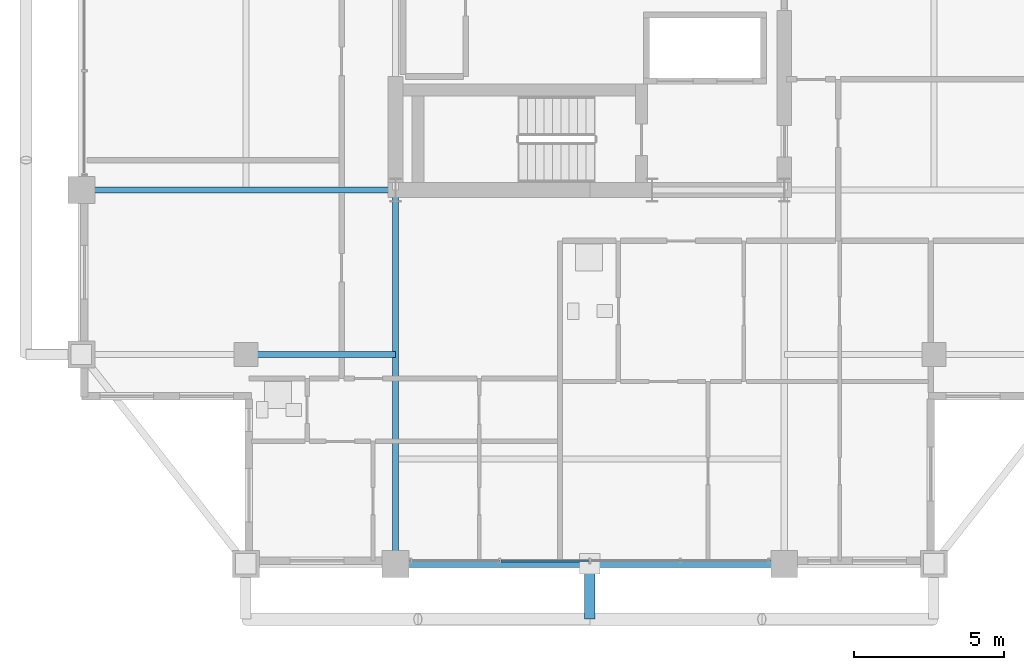
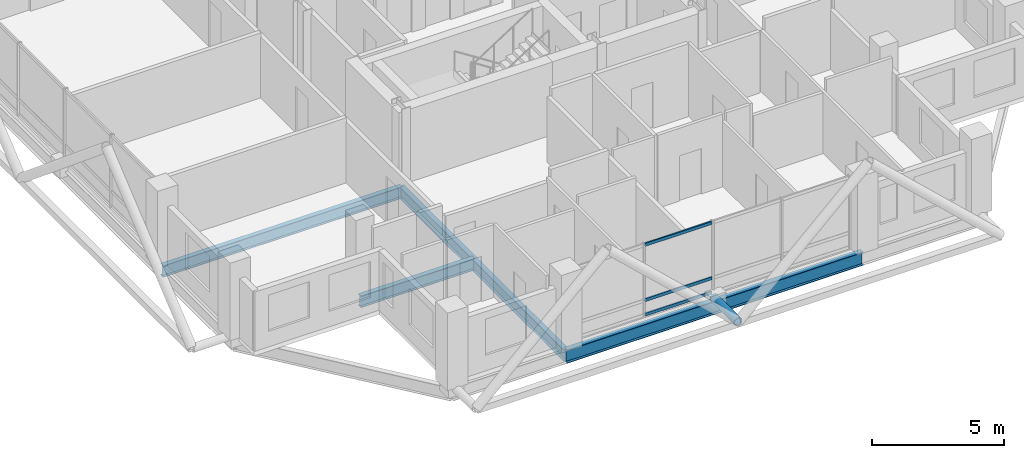
# One storey, part 4 of 21: 4 beams, 4 members, 1 element without a shape of its own.
"""IFC4 building model written with IfcOpenShell, lengths in metres."""

from ifc_helpers import new_model, si_unit, direction, frame, origin, origin_2d, place, context, subcontext, project, spatial, hollow_rectangle, hollow_circle, i_section, extrude, material, layer, layer_set, material_profile, profile_set, type_object, element, aggregate, save


model = new_model("IFC4")

# Units and contexts
model_context = context("Model", 3, precision=1e-05, world=origin(), true_north=direction((0.0, 1.0)))
body_context = subcontext(model_context, "Body", "Model", "MODEL_VIEW")
ifc_project = project(units=[si_unit("LENGTHUNIT", "METRE"), si_unit("AREAUNIT", "SQUARE_METRE"), si_unit("VOLUMEUNIT", "CUBIC_METRE"), si_unit("PLANEANGLEUNIT", "RADIAN"), si_unit("MASSUNIT", "GRAM", prefix="KILO")], contexts=[model_context])

# Site, building, storey
site_placement = place(None, origin())
site = spatial("IfcSite", under=ifc_project, at=site_placement, CompositionType="ELEMENT")
building_placement = place(site_placement, origin())
building = spatial("IfcBuilding", under=site, at=building_placement, Name="Barlavira Tower and Art Museum", CompositionType="ELEMENT")
storey_placement = place(building_placement, frame((0.0, 0.0, 261.89990234375)))
storey = spatial("IfcBuildingStorey", under=building, at=storey_placement, Name="L68", CompositionType="ELEMENT", Elevation=261.89990234375)

# Curtain wall, members
ifc_material_1 = material(Name="Low-iron coastal laminated glass", Category="glass")
ifc_layer = layer(ifc_material_1, 0.2099609375, Name="Low-iron coastal laminated glass")
ifc_layer_set = layer_set([ifc_layer], Name="Low-iron coastal laminated glass")
curtain_wall_type = type_object("IfcCurtainWallType", Name="Pale-Metal Unitised Curtain Wall Zone 4", PredefinedType="NOTDEFINED", material=ifc_layer_set)
curtain_wall_placement = place(storey_placement, origin())
curtain_wall = element("IfcCurtainWall", 1, at=curtain_wall_placement, inside=storey, type_object=curtain_wall_type, Name="L68 Curtain Wall CW4-L68-S-B2", PredefinedType="NOTDEFINED")
ifc_material_2 = material(Name="Pale anodised aluminium", Category="aluminium")
ifc_material_profile_1 = material_profile(ifc_material_2, hollow_rectangle(XDim=0.06494140625, YDim=0.139892578125, WallThickness=0.00390625, at=origin_2d()), Name="ALU-TRAN 65x140x4")
ifc_profile_set_1 = profile_set([ifc_material_profile_1], Name="Pale anodised aluminium")
member_type_1 = type_object("IfcMemberType", Name="Curtain Wall Pale-Metal Transom 65x140", PredefinedType="USERDEFINED", material=ifc_profile_set_1)
member_1_placement = place(storey_placement, frame((-2.969970703125, -19.89990234375, 0.070068359375), z_axis=(1.0, 0.0, 0.0), x_axis=(0.0, 1.0, 0.0)))
member_1 = element("IfcMember", 2, at=member_1_placement, type_object=member_type_1, Name="CW4-L68-S-B2 Transom 1.1", ObjectType="TRANSOM", PredefinedType="USERDEFINED", context=body_context, shape_type="SweptSolid", body=[
    extrude(hollow_rectangle(XDim=0.06494140625, YDim=0.139892578125, WallThickness=0.00390625, at=origin_2d()), origin(), (0.0, 0.0, 1.0), 2.925048828125),
])
member_2_placement = place(storey_placement, frame((-2.969970703125, -19.89990234375, 0.744140625), z_axis=(1.0, 0.0, 0.0), x_axis=(0.0, 1.0, 0.0)))
member_2 = element("IfcMember", 3, at=member_2_placement, type_object=member_type_1, Name="CW4-L68-S-B2 Transom 1.2", ObjectType="TRANSOM", PredefinedType="USERDEFINED", context=body_context, shape_type="SweptSolid", body=[
    extrude(hollow_rectangle(XDim=0.06494140625, YDim=0.139892578125, WallThickness=0.00390625, at=origin_2d()), origin(), (0.0, 0.0, 1.0), 2.925048828125),
])
member_3_placement = place(storey_placement, frame((-2.969970703125, -19.89990234375, 3.31005859375), z_axis=(1.0, 0.0, 0.0), x_axis=(0.0, 1.0, 0.0)))
member_3 = element("IfcMember", 4, at=member_3_placement, type_object=member_type_1, Name="CW4-L68-S-B2 Transom 1.3", ObjectType="TRANSOM", PredefinedType="USERDEFINED", context=body_context, shape_type="SweptSolid", body=[
    extrude(hollow_rectangle(XDim=0.06494140625, YDim=0.139892578125, WallThickness=0.00390625, at=origin_2d()), origin(), (0.0, 0.0, 1.0), 2.925048828125),
])
aggregate(curtain_wall, [member_1, member_2, member_3])

# Member
ifc_material_3 = material(Name="Steel S355", Category="steel")
ifc_material_profile_2 = material_profile(ifc_material_3, hollow_circle(Radius=0.177734375, WallThickness=0.01611328125, at=origin_2d()), Name="CHS 355.6x16.0")
ifc_profile_set_2 = profile_set([ifc_material_profile_2], Name="Steel S355")
member_type_2 = type_object("IfcMemberType", Name="Pale-Metal Exoskeleton Tie Strut CHS 356x16 Steel S355", PredefinedType="STRUT", material=ifc_profile_set_2)
member_4_placement = place(storey_placement, frame((0.0, -21.85009765625, -0.119873046875), z_axis=(0.0, 1.0, 0.0), x_axis=(-1.0, 0.0, 0.0)))
element("IfcMember", 5, at=member_4_placement, inside=storey, type_object=member_type_2, Name="L68 Exoskeleton Tie Strut S2", PredefinedType="STRUT", context=body_context, shape_type="SweptSolid", body=[
    extrude(hollow_circle(Radius=0.177734375, WallThickness=0.01611328125, at=origin_2d()), origin(), (0.0, 0.0, 1.0), 1.85009765625),
])

# Beams
ifc_material_profile_3 = material_profile(ifc_material_3, i_section(OverallWidth=0.22998046875, OverallDepth=0.616943359375, WebThickness=0.01318359375, FlangeThickness=0.022216796875, at=origin_2d()), Name="W610x140.0")
ifc_profile_set_3 = profile_set([ifc_material_profile_3], Name="Steel S355")
beam_type_1 = type_object("IfcBeamType", Name="Upper Shaft Spandrel Edge Beam W610x140 Steel S355", PredefinedType="SPANDREL", material=ifc_profile_set_3)
beam_1_placement = place(storey_placement, frame((-6.5, -20.0, -0.5283203125), z_axis=(1.0, 0.0, 0.0), x_axis=(0.0, 1.0, 0.0)))
element("IfcBeam", 6, at=beam_1_placement, inside=storey, type_object=beam_type_1, Name="L68 Spandrel 2", PredefinedType="SPANDREL", context=body_context, shape_type="SweptSolid", body=[
    extrude(i_section(OverallWidth=0.22998046875, OverallDepth=0.616943359375, WebThickness=0.01318359375, FlangeThickness=0.022216796875, at=origin_2d()), origin(), (0.0, 0.0, 1.0), 13.0),
])
ifc_material_profile_4 = material_profile(ifc_material_3, i_section(OverallWidth=0.2109375, OverallDepth=0.5390625, WebThickness=0.01171875, FlangeThickness=0.018798828125, at=origin_2d()), Name="W530x109.0")
ifc_profile_set_4 = profile_set([ifc_material_profile_4], Name="Steel S355")
beam_type_2 = type_object("IfcBeamType", Name="Zone 3-4 Primary Floor Girder W530x109 Steel S355", PredefinedType="BEAM", material=ifc_profile_set_4)
beam_2_placement = place(storey_placement, frame((-6.5, -20.0, -0.489501953125), z_axis=(0.0, 1.0, 0.0), x_axis=(-1.0, 0.0, 0.0)))
element("IfcBeam", 7, at=beam_2_placement, inside=storey, type_object=beam_type_2, Name="L68 Girder R-S1", PredefinedType="BEAM", context=body_context, shape_type="SweptSolid", body=[
    extrude(i_section(OverallWidth=0.2109375, OverallDepth=0.5390625, WebThickness=0.01171875, FlangeThickness=0.018798828125, at=origin_2d()), origin(), (0.0, 0.0, 1.0), 12.5),
])
beam_3_placement = place(storey_placement, frame((-17.0, -7.5, -0.489501953125), z_axis=(1.0, 0.0, 0.0), x_axis=(0.0, 1.0, 0.0)))
element("IfcBeam", 8, at=beam_3_placement, inside=storey, type_object=beam_type_2, Name="L68 Girder R-W1", PredefinedType="BEAM", context=body_context, shape_type="SweptSolid", body=[
    extrude(i_section(OverallWidth=0.2109375, OverallDepth=0.5390625, WebThickness=0.01171875, FlangeThickness=0.018798828125, at=origin_2d()), origin(), (0.0, 0.0, 1.0), 10.5),
])
beam_4_placement = place(storey_placement, frame((-11.5, -13.0, -0.489501953125), z_axis=(1.0, 0.0, 0.0), x_axis=(0.0, 1.0, 0.0)))
element("IfcBeam", 9, at=beam_4_placement, inside=storey, type_object=beam_type_2, Name="L68 Girder I-S2", PredefinedType="BEAM", context=body_context, shape_type="SweptSolid", body=[
    extrude(i_section(OverallWidth=0.2109375, OverallDepth=0.5390625, WebThickness=0.01171875, FlangeThickness=0.018798828125, at=origin_2d()), origin(), (0.0, 0.0, 1.0), 5.0),
])

save(model, "model.ifc")
